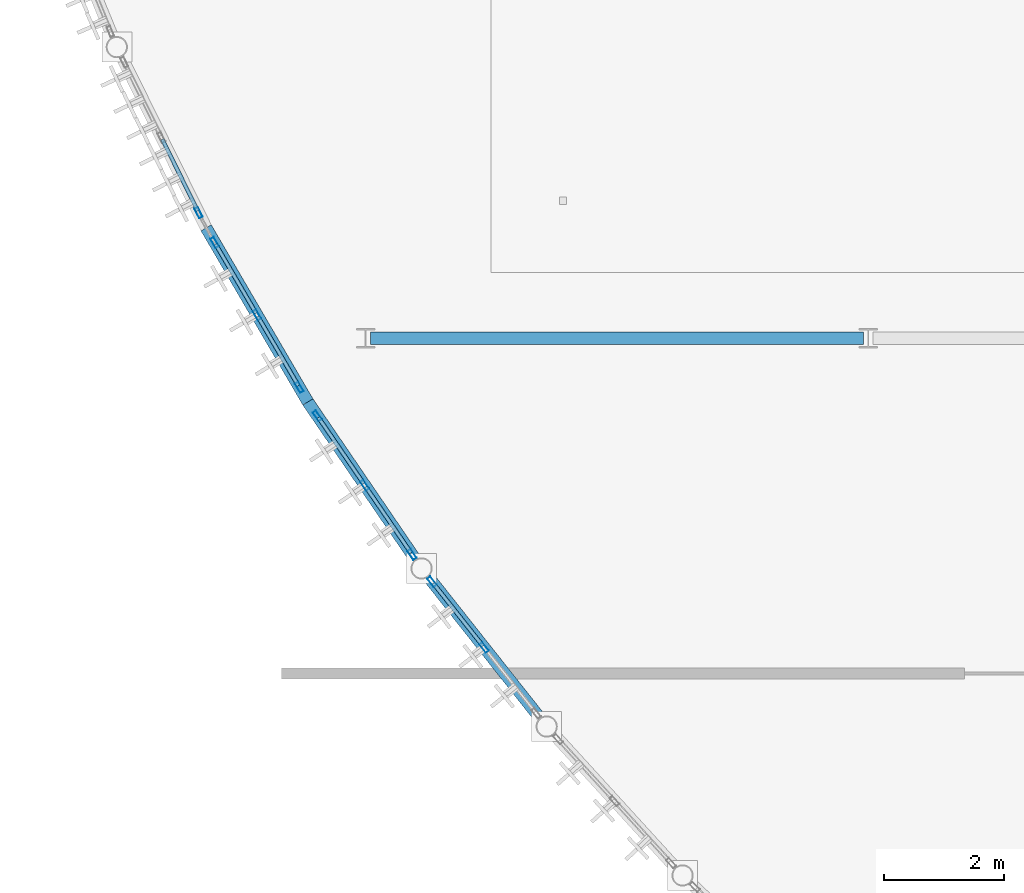
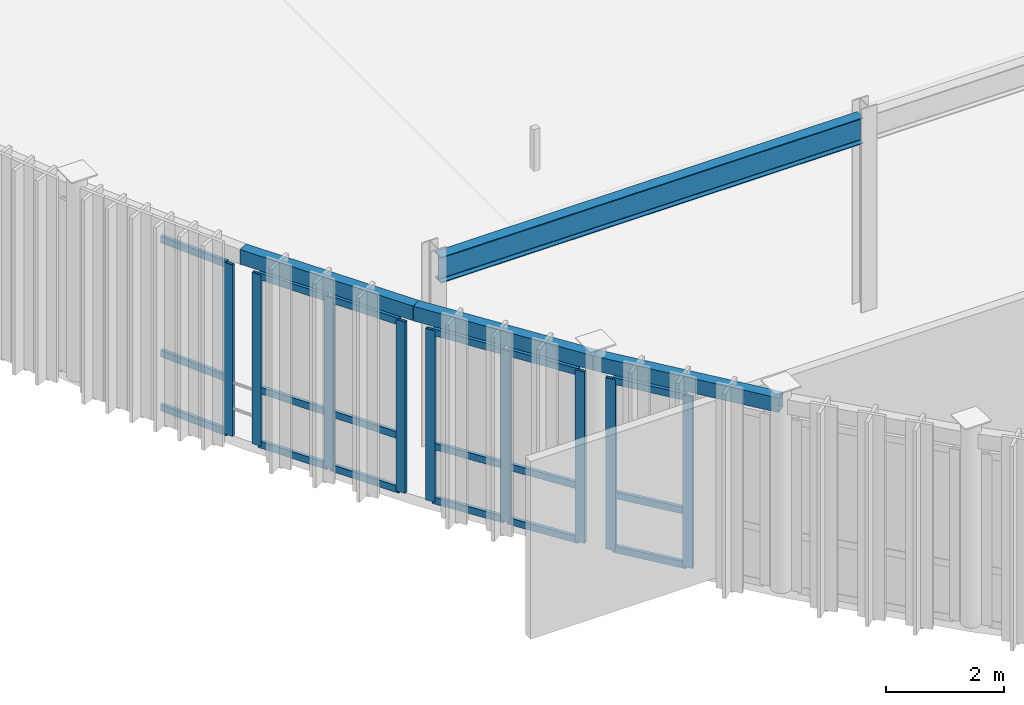
# One storey, part 8 of 26: 27 members, 4 beams, 4 elements without a shape of their own.
"""IFC4 building model written with IfcOpenShell, lengths in metres."""

from ifc_helpers import new_model, si_unit, direction, frame, origin, origin_2d, place, context, subcontext, project, spatial, hollow_rectangle, i_section, extrude, material, layer, layer_set, material_profile, profile_set, type_object, element, aggregate, save


model = new_model("IFC4")

# Units and contexts
model_context = context("Model", 3, precision=1e-05, world=origin(), true_north=direction((0.0, 1.0)))
body_context = subcontext(model_context, "Body", "Model", "MODEL_VIEW")
ifc_project = project(units=[si_unit("LENGTHUNIT", "METRE"), si_unit("AREAUNIT", "SQUARE_METRE"), si_unit("VOLUMEUNIT", "CUBIC_METRE"), si_unit("PLANEANGLEUNIT", "RADIAN"), si_unit("MASSUNIT", "GRAM", prefix="KILO")], contexts=[model_context])

# Site, building, storey
site_placement = place(None, origin())
site = spatial("IfcSite", under=ifc_project, at=site_placement, CompositionType="ELEMENT")
building_placement = place(site_placement, origin())
building = spatial("IfcBuilding", under=site, at=building_placement, Name="Selat Folded Stagehouse", CompositionType="ELEMENT")
storey_placement = place(building_placement, frame((0.0, 0.0, 23.39990234375)))
storey = spatial("IfcBuildingStorey", under=building, at=storey_placement, Name="L05", CompositionType="ELEMENT", Elevation=23.39990234375)

# Beam
ifc_material_1 = material(Name="Steel S355", Category="steel")
ifc_material_profile_1 = material_profile(ifc_material_1, i_section(OverallWidth=0.209228515625, OverallDepth=0.533203125, WebThickness=0.010009765625, FlangeThickness=0.015625, FilletRadius=0.0126953125, at=origin_2d()), Name="UKB 533x210x92")
ifc_profile_set_1 = profile_set([ifc_material_profile_1], Name="Steel S355")
beam_type_1 = type_object("IfcBeamType", Name="BM-GIRD-533x210x92", PredefinedType="BEAM", material=ifc_profile_set_1)
beam_1_placement = place(storey_placement, frame((8.47998046875, 23.39990234375, 3.70849609375), z_axis=(1.0, 0.0, 0.0), x_axis=(0.0, 1.0, 0.0)))
element("IfcBeam", 1, at=beam_1_placement, inside=storey, type_object=beam_type_1, Name="L05 primary x-girder 1419", PredefinedType="BEAM", context=body_context, shape_type="SweptSolid", body=[
    extrude(i_section(OverallWidth=0.209228515625, OverallDepth=0.533203125, WebThickness=0.010009765625, FlangeThickness=0.015625, FilletRadius=0.0126953125, at=origin_2d()), origin(), (0.0, 0.0, 1.0), 8.239990234375),
])

# Curtain wall, member
ifc_material_2 = material(Name="Aluminium 6063-T6", Category="aluminium")
ifc_layer = layer(ifc_material_2, 0.18505859375)
ifc_layer_set = layer_set([ifc_layer], Name="Aluminium 6063-T6")
curtain_wall_type = type_object("IfcCurtainWallType", Name="CW-DRM-UPPER", PredefinedType="NOTDEFINED", material=ifc_layer_set)
curtain_wall_1_placement = place(storey_placement, origin())
curtain_wall_1 = element("IfcCurtainWall", 2, at=curtain_wall_1_placement, inside=storey, type_object=curtain_wall_type, Name="L05 curtain wall CW-DRM-L05-08", PredefinedType="NOTDEFINED")
ifc_material_profile_2 = material_profile(ifc_material_2, hollow_rectangle(XDim=0.06494140625, YDim=0.179931640625, WallThickness=0.00390625, at=origin_2d()), Name="ALU 180x65x4.0")
ifc_profile_set_2 = profile_set([ifc_material_profile_2], Name="Aluminium 6063-T6")
member_type_1 = type_object("IfcMemberType", Name="CWM-MUL-180x65", PredefinedType="MULLION", material=ifc_profile_set_2)
member_1_placement = place(storey_placement, frame((5.61083984375, 25.4990234375, 0.0), z_axis=(0.0, 0.0, 1.0), x_axis=(-0.896598356392, -0.442844653705, 0.0)))
member_1 = element("IfcMember", 3, at=member_1_placement, type_object=member_type_1, Name="CW-03 mullion 1", PredefinedType="MULLION", context=body_context, shape_type="SweptSolid", body=[
    extrude(hollow_rectangle(XDim=0.06494140625, YDim=0.179931640625, WallThickness=0.00390625, at=origin_2d()), origin(), (0.0, 0.0, 1.0), 3.53515625),
])

# Curtain wall, members
curtain_wall_2_placement = place(storey_placement, origin())
curtain_wall_2 = element("IfcCurtainWall", 4, at=curtain_wall_2_placement, inside=storey, type_object=curtain_wall_type, Name="L05 curtain wall CW-DRM-L05-09", PredefinedType="NOTDEFINED")
member_2_placement = place(storey_placement, frame((7.293701171875, 22.5810546875, 0.0), z_axis=(0.0, 0.0, 1.0), x_axis=(-0.863332305214, -0.504635839764, 0.0)))
member_2 = element("IfcMember", 5, at=member_2_placement, type_object=member_type_1, Name="CW-03 mullion 1", PredefinedType="MULLION", context=body_context, shape_type="SweptSolid", body=[
    extrude(hollow_rectangle(XDim=0.06494140625, YDim=0.179931640625, WallThickness=0.00390625, at=origin_2d()), origin(), (0.0, 0.0, 1.0), 3.53515625),
])
member_3_placement = place(storey_placement, frame((6.586181640625, 23.79150390625, 0.0), z_axis=(0.0, 0.0, 1.0), x_axis=(-0.863332305214, -0.504635839764, 0.0)))
member_3 = element("IfcMember", 6, at=member_3_placement, type_object=member_type_1, Name="CW-03 mullion 2", PredefinedType="MULLION", context=body_context, shape_type="SweptSolid", body=[
    extrude(hollow_rectangle(XDim=0.06494140625, YDim=0.179931640625, WallThickness=0.00390625, at=origin_2d()), origin(), (0.0, 0.0, 1.0), 3.53515625),
])
member_4_placement = place(storey_placement, frame((5.878662109375, 25.001953125, 0.0), z_axis=(0.0, 0.0, 1.0), x_axis=(-0.863332305214, -0.504635839764, 0.0)))
member_4 = element("IfcMember", 7, at=member_4_placement, type_object=member_type_1, Name="CW-03 mullion 3", PredefinedType="MULLION", context=body_context, shape_type="SweptSolid", body=[
    extrude(hollow_rectangle(XDim=0.06494140625, YDim=0.179931640625, WallThickness=0.00390625, at=origin_2d()), origin(), (0.0, 0.0, 1.0), 3.53515625),
])

curtain_wall_3_placement = place(storey_placement, origin())
curtain_wall_3 = element("IfcCurtainWall", 8, at=curtain_wall_3_placement, inside=storey, type_object=curtain_wall_type, Name="L05 curtain wall CW-DRM-L05-10", PredefinedType="NOTDEFINED")
member_5_placement = place(storey_placement, frame((9.1767578125, 19.788330078125, 0.0), z_axis=(0.0, 0.0, 1.0), x_axis=(-0.825810483709, -0.563947732504, 0.0)))
member_5 = element("IfcMember", 9, at=member_5_placement, type_object=member_type_1, Name="CW-03 mullion 1", PredefinedType="MULLION", context=body_context, shape_type="SweptSolid", body=[
    extrude(hollow_rectangle(XDim=0.06494140625, YDim=0.179931640625, WallThickness=0.00390625, at=origin_2d()), origin(), (0.0, 0.0, 1.0), 3.53515625),
])
member_6_placement = place(storey_placement, frame((8.38623046875, 20.946044921875, 0.0), z_axis=(0.0, 0.0, 1.0), x_axis=(-0.825810483709, -0.563947732504, 0.0)))
member_6 = element("IfcMember", 10, at=member_6_placement, type_object=member_type_1, Name="CW-03 mullion 2", PredefinedType="MULLION", context=body_context, shape_type="SweptSolid", body=[
    extrude(hollow_rectangle(XDim=0.06494140625, YDim=0.179931640625, WallThickness=0.00390625, at=origin_2d()), origin(), (0.0, 0.0, 1.0), 3.53515625),
])
member_7_placement = place(storey_placement, frame((7.595458984375, 22.10400390625, 0.0), z_axis=(0.0, 0.0, 1.0), x_axis=(-0.825810483709, -0.563947732504, 0.0)))
member_7 = element("IfcMember", 11, at=member_7_placement, type_object=member_type_1, Name="CW-03 mullion 3", PredefinedType="MULLION", context=body_context, shape_type="SweptSolid", body=[
    extrude(hollow_rectangle(XDim=0.06494140625, YDim=0.179931640625, WallThickness=0.00390625, at=origin_2d()), origin(), (0.0, 0.0, 1.0), 3.53515625),
])

curtain_wall_4_placement = place(storey_placement, origin())
curtain_wall_4 = element("IfcCurtainWall", 12, at=curtain_wall_4_placement, inside=storey, type_object=curtain_wall_type, Name="L05 curtain wall CW-DRM-L05-11", PredefinedType="NOTDEFINED")
member_8_placement = place(storey_placement, frame((10.38134765625, 18.234130859375, 0.0), z_axis=(0.0, 0.0, 1.0), x_axis=(-0.784180094825, -0.620533301992, 0.0)))
member_8 = element("IfcMember", 13, at=member_8_placement, type_object=member_type_1, Name="CW-03 mullion 2", PredefinedType="MULLION", context=body_context, shape_type="SweptSolid", body=[
    extrude(hollow_rectangle(XDim=0.06494140625, YDim=0.179931640625, WallThickness=0.00390625, at=origin_2d()), origin(), (0.0, 0.0, 1.0), 3.53515625),
])
member_9_placement = place(storey_placement, frame((9.511474609375, 19.33349609375, 0.0), z_axis=(0.0, 0.0, 1.0), x_axis=(-0.784180094825, -0.620533301992, 0.0)))
member_9 = element("IfcMember", 14, at=member_9_placement, type_object=member_type_1, Name="CW-03 mullion 3", PredefinedType="MULLION", context=body_context, shape_type="SweptSolid", body=[
    extrude(hollow_rectangle(XDim=0.06494140625, YDim=0.179931640625, WallThickness=0.00390625, at=origin_2d()), origin(), (0.0, 0.0, 1.0), 3.53515625),
])

# Member
ifc_material_profile_3 = material_profile(ifc_material_2, hollow_rectangle(XDim=0.06494140625, YDim=0.139892578125, WallThickness=0.00390625, at=origin_2d()), Name="ALU 140x65x4.0")
ifc_profile_set_3 = profile_set([ifc_material_profile_3], Name="Aluminium 6063-T6")
member_type_2 = type_object("IfcMemberType", Name="CWM-TRN-140x65", PredefinedType="USERDEFINED", material=ifc_profile_set_3)
member_10_placement = place(storey_placement, frame((5.596435546875, 25.528076171875, 0.03271484375), z_axis=(-0.442825622785, 0.896607755825, 0.0), x_axis=(-0.896607755825, -0.442825622785, 0.0)))
member_10 = element("IfcMember", 15, at=member_10_placement, type_object=member_type_2, Name="CW-03 transom 1.1", ObjectType="TRANSOM", PredefinedType="USERDEFINED", context=body_context, shape_type="SweptSolid", body=[
    extrude(hollow_rectangle(XDim=0.06494140625, YDim=0.139892578125, WallThickness=0.00390625, at=origin_2d()), origin(), (0.0, 0.0, 1.0), 1.3369140625),
])

member_11_placement = place(storey_placement, frame((5.596435546875, 25.528076171875, 1.150146484375), z_axis=(-0.442825622785, 0.896607755825, 0.0), x_axis=(-0.896607755825, -0.442825622785, 0.0)))
member_11 = element("IfcMember", 16, at=member_11_placement, type_object=member_type_2, Name="CW-03 transom 1.2", ObjectType="TRANSOM", PredefinedType="USERDEFINED", context=body_context, shape_type="SweptSolid", body=[
    extrude(hollow_rectangle(XDim=0.06494140625, YDim=0.139892578125, WallThickness=0.00390625, at=origin_2d()), origin(), (0.0, 0.0, 1.0), 1.3369140625),
])

member_12_placement = place(storey_placement, frame((5.596435546875, 25.528076171875, 3.502685546875), z_axis=(-0.442825622785, 0.896607755825, 0.0), x_axis=(-0.896607755825, -0.442825622785, 0.0)))
member_12 = element("IfcMember", 17, at=member_12_placement, type_object=member_type_2, Name="CW-03 transom 1.3", ObjectType="TRANSOM", PredefinedType="USERDEFINED", context=body_context, shape_type="SweptSolid", body=[
    extrude(hollow_rectangle(XDim=0.06494140625, YDim=0.139892578125, WallThickness=0.00390625, at=origin_2d()), origin(), (0.0, 0.0, 1.0), 1.3369140625),
])

aggregate(curtain_wall_1, [member_1, member_10, member_11, member_12])

member_13_placement = place(storey_placement, frame((7.277099609375, 22.609130859375, 0.03271484375), z_axis=(-0.504552109114, 0.863381242088, 0.0), x_axis=(-0.863381242088, -0.504552109114, 0.0)))
member_13 = element("IfcMember", 18, at=member_13_placement, type_object=member_type_2, Name="CW-03 transom 1.1", ObjectType="TRANSOM", PredefinedType="USERDEFINED", context=body_context, shape_type="SweptSolid", body=[
    extrude(hollow_rectangle(XDim=0.06494140625, YDim=0.139892578125, WallThickness=0.00390625, at=origin_2d()), origin(), (0.0, 0.0, 1.0), 1.3369140625),
])

member_14_placement = place(storey_placement, frame((7.277099609375, 22.609130859375, 1.150146484375), z_axis=(-0.504552109114, 0.863381242088, 0.0), x_axis=(-0.863381242088, -0.504552109114, 0.0)))
member_14 = element("IfcMember", 19, at=member_14_placement, type_object=member_type_2, Name="CW-03 transom 1.2", ObjectType="TRANSOM", PredefinedType="USERDEFINED", context=body_context, shape_type="SweptSolid", body=[
    extrude(hollow_rectangle(XDim=0.06494140625, YDim=0.139892578125, WallThickness=0.00390625, at=origin_2d()), origin(), (0.0, 0.0, 1.0), 1.3369140625),
])

member_15_placement = place(storey_placement, frame((7.277099609375, 22.609130859375, 3.502685546875), z_axis=(-0.504552109114, 0.863381242088, 0.0), x_axis=(-0.863381242088, -0.504552109114, 0.0)))
member_15 = element("IfcMember", 20, at=member_15_placement, type_object=member_type_2, Name="CW-03 transom 1.3", ObjectType="TRANSOM", PredefinedType="USERDEFINED", context=body_context, shape_type="SweptSolid", body=[
    extrude(hollow_rectangle(XDim=0.06494140625, YDim=0.139892578125, WallThickness=0.00390625, at=origin_2d()), origin(), (0.0, 0.0, 1.0), 1.3369140625),
])

member_16_placement = place(storey_placement, frame((6.569580078125, 23.819580078125, 0.03271484375), z_axis=(-0.504552109114, 0.863381242088, 0.0), x_axis=(-0.863381242088, -0.504552109114, 0.0)))
member_16 = element("IfcMember", 21, at=member_16_placement, type_object=member_type_2, Name="CW-03 transom 2.1", ObjectType="TRANSOM", PredefinedType="USERDEFINED", context=body_context, shape_type="SweptSolid", body=[
    extrude(hollow_rectangle(XDim=0.06494140625, YDim=0.139892578125, WallThickness=0.00390625, at=origin_2d()), origin(), (0.0, 0.0, 1.0), 1.3369140625),
])

member_17_placement = place(storey_placement, frame((6.569580078125, 23.819580078125, 1.150146484375), z_axis=(-0.504552109114, 0.863381242088, 0.0), x_axis=(-0.863381242088, -0.504552109114, 0.0)))
member_17 = element("IfcMember", 22, at=member_17_placement, type_object=member_type_2, Name="CW-03 transom 2.2", ObjectType="TRANSOM", PredefinedType="USERDEFINED", context=body_context, shape_type="SweptSolid", body=[
    extrude(hollow_rectangle(XDim=0.06494140625, YDim=0.139892578125, WallThickness=0.00390625, at=origin_2d()), origin(), (0.0, 0.0, 1.0), 1.3369140625),
])

member_18_placement = place(storey_placement, frame((6.569580078125, 23.819580078125, 3.502685546875), z_axis=(-0.504552109114, 0.863381242088, 0.0), x_axis=(-0.863381242088, -0.504552109114, 0.0)))
member_18 = element("IfcMember", 23, at=member_18_placement, type_object=member_type_2, Name="CW-03 transom 2.3", ObjectType="TRANSOM", PredefinedType="USERDEFINED", context=body_context, shape_type="SweptSolid", body=[
    extrude(hollow_rectangle(XDim=0.06494140625, YDim=0.139892578125, WallThickness=0.00390625, at=origin_2d()), origin(), (0.0, 0.0, 1.0), 1.3369140625),
])

aggregate(curtain_wall_2, [member_2, member_3, member_4, member_13, member_14, member_15, member_16, member_17, member_18])

member_19_placement = place(storey_placement, frame((9.158447265625, 19.815185546875, 0.03271484375), z_axis=(-0.563937345678, 0.825817576799, 0.0), x_axis=(-0.825817576799, -0.563937345678, 0.0)))
member_19 = element("IfcMember", 24, at=member_19_placement, type_object=member_type_2, Name="CW-03 transom 1.1", ObjectType="TRANSOM", PredefinedType="USERDEFINED", context=body_context, shape_type="SweptSolid", body=[
    extrude(hollow_rectangle(XDim=0.06494140625, YDim=0.139892578125, WallThickness=0.00390625, at=origin_2d()), origin(), (0.0, 0.0, 1.0), 1.3369140625),
])

member_20_placement = place(storey_placement, frame((9.158447265625, 19.815185546875, 1.150146484375), z_axis=(-0.563937345678, 0.825817576799, 0.0), x_axis=(-0.825817576799, -0.563937345678, 0.0)))
member_20 = element("IfcMember", 25, at=member_20_placement, type_object=member_type_2, Name="CW-03 transom 1.2", ObjectType="TRANSOM", PredefinedType="USERDEFINED", context=body_context, shape_type="SweptSolid", body=[
    extrude(hollow_rectangle(XDim=0.06494140625, YDim=0.139892578125, WallThickness=0.00390625, at=origin_2d()), origin(), (0.0, 0.0, 1.0), 1.3369140625),
])

member_21_placement = place(storey_placement, frame((9.158447265625, 19.815185546875, 3.502685546875), z_axis=(-0.563937345678, 0.825817576799, 0.0), x_axis=(-0.825817576799, -0.563937345678, 0.0)))
member_21 = element("IfcMember", 26, at=member_21_placement, type_object=member_type_2, Name="CW-03 transom 1.3", ObjectType="TRANSOM", PredefinedType="USERDEFINED", context=body_context, shape_type="SweptSolid", body=[
    extrude(hollow_rectangle(XDim=0.06494140625, YDim=0.139892578125, WallThickness=0.00390625, at=origin_2d()), origin(), (0.0, 0.0, 1.0), 1.3369140625),
])

member_22_placement = place(storey_placement, frame((8.367919921875, 20.972900390625, 0.03271484375), z_axis=(-0.563976829856, 0.825790612314, 0.0), x_axis=(-0.825790612314, -0.563976829856, 0.0)))
member_22 = element("IfcMember", 27, at=member_22_placement, type_object=member_type_2, Name="CW-03 transom 2.1", ObjectType="TRANSOM", PredefinedType="USERDEFINED", context=body_context, shape_type="SweptSolid", body=[
    extrude(hollow_rectangle(XDim=0.06494140625, YDim=0.139892578125, WallThickness=0.00390625, at=origin_2d()), origin(), (0.0, 0.0, 1.0), 1.337158203125),
])

member_23_placement = place(storey_placement, frame((8.367919921875, 20.972900390625, 1.150146484375), z_axis=(-0.563976829856, 0.825790612314, 0.0), x_axis=(-0.825790612314, -0.563976829856, 0.0)))
member_23 = element("IfcMember", 28, at=member_23_placement, type_object=member_type_2, Name="CW-03 transom 2.2", ObjectType="TRANSOM", PredefinedType="USERDEFINED", context=body_context, shape_type="SweptSolid", body=[
    extrude(hollow_rectangle(XDim=0.06494140625, YDim=0.139892578125, WallThickness=0.00390625, at=origin_2d()), origin(), (0.0, 0.0, 1.0), 1.337158203125),
])

member_24_placement = place(storey_placement, frame((8.367919921875, 20.972900390625, 3.502685546875), z_axis=(-0.563976829856, 0.825790612314, 0.0), x_axis=(-0.825790612314, -0.563976829856, 0.0)))
member_24 = element("IfcMember", 29, at=member_24_placement, type_object=member_type_2, Name="CW-03 transom 2.3", ObjectType="TRANSOM", PredefinedType="USERDEFINED", context=body_context, shape_type="SweptSolid", body=[
    extrude(hollow_rectangle(XDim=0.06494140625, YDim=0.139892578125, WallThickness=0.00390625, at=origin_2d()), origin(), (0.0, 0.0, 1.0), 1.337158203125),
])

aggregate(curtain_wall_3, [member_5, member_6, member_7, member_19, member_20, member_21, member_22, member_23, member_24])

member_25_placement = place(storey_placement, frame((10.361328125, 18.259521484375, 0.03271484375), z_axis=(-0.620455037356, 0.784242020437, 0.0), x_axis=(-0.784242020437, -0.620455037356, 0.0)))
member_25 = element("IfcMember", 30, at=member_25_placement, type_object=member_type_2, Name="CW-03 transom 2.1", ObjectType="TRANSOM", PredefinedType="USERDEFINED", context=body_context, shape_type="SweptSolid", body=[
    extrude(hollow_rectangle(XDim=0.06494140625, YDim=0.139892578125, WallThickness=0.00390625, at=origin_2d()), origin(), (0.0, 0.0, 1.0), 1.337158203125),
])

member_26_placement = place(storey_placement, frame((10.361328125, 18.259521484375, 1.150146484375), z_axis=(-0.620455037356, 0.784242020437, 0.0), x_axis=(-0.784242020437, -0.620455037356, 0.0)))
member_26 = element("IfcMember", 31, at=member_26_placement, type_object=member_type_2, Name="CW-03 transom 2.2", ObjectType="TRANSOM", PredefinedType="USERDEFINED", context=body_context, shape_type="SweptSolid", body=[
    extrude(hollow_rectangle(XDim=0.06494140625, YDim=0.139892578125, WallThickness=0.00390625, at=origin_2d()), origin(), (0.0, 0.0, 1.0), 1.337158203125),
])

member_27_placement = place(storey_placement, frame((10.361328125, 18.259521484375, 3.502685546875), z_axis=(-0.620455037356, 0.784242020437, 0.0), x_axis=(-0.784242020437, -0.620455037356, 0.0)))
member_27 = element("IfcMember", 32, at=member_27_placement, type_object=member_type_2, Name="CW-03 transom 2.3", ObjectType="TRANSOM", PredefinedType="USERDEFINED", context=body_context, shape_type="SweptSolid", body=[
    extrude(hollow_rectangle(XDim=0.06494140625, YDim=0.139892578125, WallThickness=0.00390625, at=origin_2d()), origin(), (0.0, 0.0, 1.0), 1.337158203125),
])

aggregate(curtain_wall_4, [member_8, member_9, member_25, member_26, member_27])

# Beams
ifc_material_profile_4 = material_profile(ifc_material_1, hollow_rectangle(XDim=0.199951171875, YDim=0.300048828125, WallThickness=0.012451171875, at=origin_2d()), Name="RHS 300x200x12.5")
ifc_profile_set_4 = profile_set([ifc_material_profile_4], Name="Steel S355")
beam_type_2 = type_object("IfcBeamType", Name="SPD-RHS-300x200", PredefinedType="SPANDREL", material=ifc_profile_set_4)
for number, where, z_axis, x_axis, name in (
    (33, (5.736083984375, 25.24560546875, 3.8251953125), (0.504668336107, -0.863313309599, 0.0), (0.863313309599, 0.504668336107, 0.0), "L05 curved drum spandrel beam 10"),
    (34, (7.436279296875, 22.337158203125, 3.8251953125), (0.563964056933, -0.825799335485, 0.0), (0.825799335485, 0.563964056933, 0.0), "L05 curved drum spandrel beam 11"),
):
    element("IfcBeam", number, at=place(storey_placement, frame(where, z_axis=z_axis, x_axis=x_axis)), inside=storey, type_object=beam_type_2, Name=name, PredefinedType="SPANDREL", context=body_context, shape_type="SweptSolid", body=[
        extrude(hollow_rectangle(XDim=0.199951171875, YDim=0.300048828125, WallThickness=0.012451171875, at=origin_2d()), origin(), (0.0, 0.0, 1.0), 3.368896484375),
    ])
beam_2_placement = place(storey_placement, frame((9.336181640625, 19.55517578125, 3.8251953125), z_axis=(0.62050618255, -0.784201554077, 0.0), x_axis=(0.784201554077, 0.62050618255, 0.0)))
element("IfcBeam", 35, at=beam_2_placement, inside=storey, type_object=beam_type_2, Name="L05 curved drum spandrel beam 12", PredefinedType="SPANDREL", context=body_context, shape_type="SweptSolid", body=[
    extrude(hollow_rectangle(XDim=0.199951171875, YDim=0.300048828125, WallThickness=0.012451171875, at=origin_2d()), origin(), (0.0, 0.0, 1.0), 3.369140625),
])

save(model, "model.ifc")
